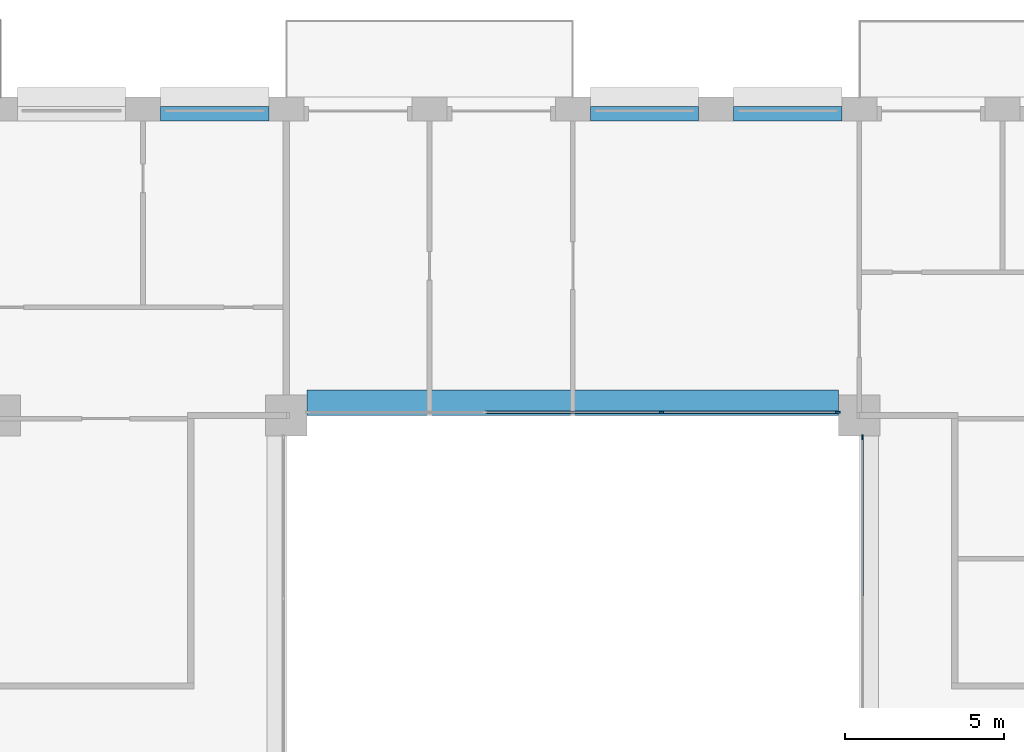
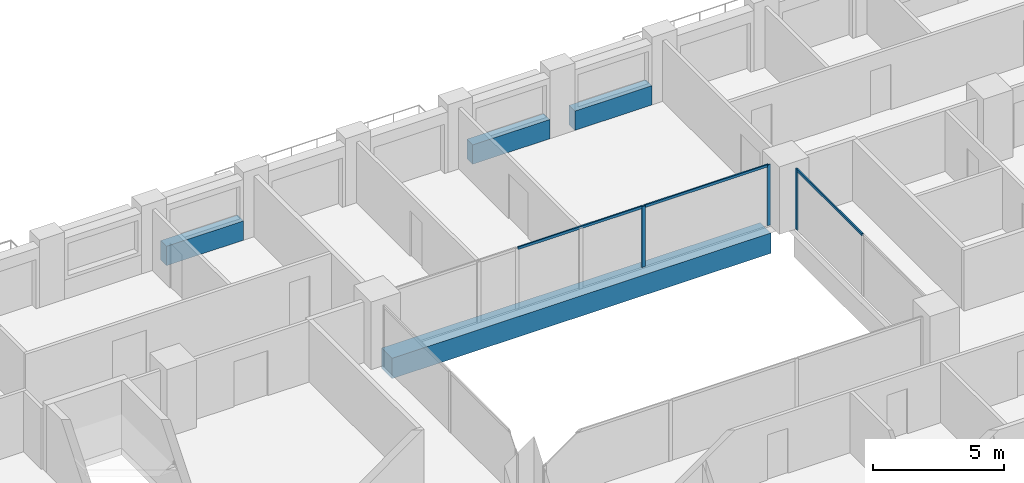
# One storey, part 6 of 16: 6 members, 4 beams, 2 elements without a shape of their own.
"""IFC4 building model written with IfcOpenShell, lengths in metres."""

from ifc_helpers import new_model, si_unit, direction, frame, origin, origin_2d, place, context, subcontext, project, spatial, rectangle, extrude, material, layer, layer_set, material_profile, profile_set, type_object, element, aggregate, save


model = new_model("IFC4")

# Units and contexts
model_context = context("Model", 3, precision=1e-05, world=origin(), true_north=direction((0.0, 1.0)))
body_context = subcontext(model_context, "Body", "Model", "MODEL_VIEW")
ifc_project = project(units=[si_unit("LENGTHUNIT", "METRE"), si_unit("AREAUNIT", "SQUARE_METRE"), si_unit("VOLUMEUNIT", "CUBIC_METRE"), si_unit("PLANEANGLEUNIT", "RADIAN"), si_unit("MASSUNIT", "GRAM", prefix="KILO")], contexts=[model_context])

# Site, building, storey
site_placement = place(None, origin())
site = spatial("IfcSite", under=ifc_project, at=site_placement, CompositionType="ELEMENT")
building_placement = place(site_placement, origin())
building = spatial("IfcBuilding", under=site, at=building_placement, Name="Brigalow Station Residences", CompositionType="ELEMENT")
storey_placement = place(building_placement, frame((0.0, 0.0, 121.35009765625)))
storey = spatial("IfcBuildingStorey", under=building, at=storey_placement, Name="L35", CompositionType="ELEMENT", Elevation=121.35009765625)

# Beam
ifc_material_1 = material(Name="Concrete C65", Category="concrete")
ifc_material_profile_1 = material_profile(ifc_material_1, rectangle(XDim=0.800048828125, YDim=0.949951171875, at=origin_2d()), Name="RC800x950")
ifc_profile_set_1 = profile_set([ifc_material_profile_1], Name="Concrete C65")
beam_type_1 = type_object("IfcBeamType", Name="ATRIUM EDGE GIRDER OVER 13.5 M SPAN 800x950 C65", PredefinedType="BEAM", material=ifc_profile_set_1)
beam_placement = place(storey_placement, frame((27.64990234375, 35.89990234375, -0.795166015625), z_axis=(1.0, 0.0, 0.0), x_axis=(0.0, 1.0, 0.0)))
element("IfcBeam", 1, at=beam_placement, inside=storey, type_object=beam_type_1, Name="ATRIUM EDGE GIRDER D L35", PredefinedType="BEAM", context=body_context, shape_type="SweptSolid", body=[
    extrude(rectangle(XDim=0.800048828125, YDim=0.949951171875, at=origin_2d()), origin(), (0.0, 0.0, 1.0), 16.7001953125),
])

# Curtain wall, member
ifc_material_2 = material(Name="Aluminium", Category="aluminium")
ifc_layer = layer(ifc_material_2, 0.14990234375)
ifc_layer_set = layer_set([ifc_layer], Name="ATRIUM FIRE-RATED GLAZING CURTAIN WALL")
curtain_wall_type = type_object("IfcCurtainWallType", Name="ATRIUM FIRE-RATED GLAZING CURTAIN WALL", PredefinedType="NOTDEFINED", material=ifc_layer_set)
curtain_wall_1_placement = place(storey_placement, origin())
curtain_wall_1 = element("IfcCurtainWall", 2, at=curtain_wall_1_placement, inside=storey, type_object=curtain_wall_type, Name="L35/cw/atrium-E", PredefinedType="NOTDEFINED")
ifc_material_3 = material(Name="Aluminium", Category="aluminium")
ifc_material_profile_2 = material_profile(ifc_material_3, rectangle(XDim=0.06005859375, YDim=0.14990234375, at=origin_2d()), Name="ATRIUM FIRE-RATED GLAZING MULLION 60x150")
ifc_profile_set_2 = profile_set([ifc_material_profile_2], Name="Aluminium")
member_type_1 = type_object("IfcMemberType", Name="ATRIUM FIRE-RATED GLAZING MULLION 60x150", PredefinedType="MULLION", material=ifc_profile_set_2)
member_1_placement = place(storey_placement, frame((45.10009765625, 34.820068359375, 0.0), z_axis=(0.0, 0.0, 1.0), x_axis=(-1.0, 0.0, 0.0)))
member_1 = element("IfcMember", 3, at=member_1_placement, type_object=member_type_1, Name="L35/cw/atrium-E/M02", PredefinedType="MULLION", context=body_context, shape_type="SweptSolid", body=[
    extrude(rectangle(XDim=0.06005859375, YDim=0.14990234375, at=origin_2d()), origin(), (0.0, 0.0, 1.0), 2.829833984375),
])

# Curtain wall, members
curtain_wall_2_placement = place(storey_placement, origin())
curtain_wall_2 = element("IfcCurtainWall", 4, at=curtain_wall_2_placement, inside=storey, type_object=curtain_wall_type, Name="L35/cw/atrium-N", PredefinedType="NOTDEFINED")
member_2_placement = place(storey_placement, frame((44.320068359375, 35.60009765625, 0.0), z_axis=(0.0, 0.0, 1.0), x_axis=(0.0, -1.0, 0.0)))
member_2 = element("IfcMember", 5, at=member_2_placement, type_object=member_type_1, Name="L35/cw/atrium-N/M00", PredefinedType="MULLION", context=body_context, shape_type="SweptSolid", body=[
    extrude(rectangle(XDim=0.06005859375, YDim=0.14990234375, at=origin_2d()), origin(), (0.0, 0.0, 1.0), 2.829833984375),
])
member_3_placement = place(storey_placement, frame((38.783203125, 35.60009765625, 0.0), z_axis=(0.0, 0.0, 1.0), x_axis=(0.0, -1.0, 0.0)))
member_3 = element("IfcMember", 6, at=member_3_placement, type_object=member_type_1, Name="L35/cw/atrium-N/M01", PredefinedType="MULLION", context=body_context, shape_type="SweptSolid", body=[
    extrude(rectangle(XDim=0.06005859375, YDim=0.14990234375, at=origin_2d()), origin(), (0.0, 0.0, 1.0), 2.829833984375),
])

# Member
ifc_material_4 = material(Name="Aluminium", Category="aluminium")
ifc_material_profile_3 = material_profile(ifc_material_4, rectangle(XDim=0.06005859375, YDim=0.1201171875, at=origin_2d()), Name="ATRIUM FIRE-RATED GLAZING TRANSOM 60x120")
ifc_profile_set_3 = profile_set([ifc_material_profile_3], Name="Aluminium")
member_type_2 = type_object("IfcMemberType", Name="ATRIUM FIRE-RATED GLAZING TRANSOM 60x120", PredefinedType="USERDEFINED", material=ifc_profile_set_3)
member_4_placement = place(storey_placement, frame((45.10009765625, 29.780029296875, 2.7998046875), z_axis=(0.0, 1.0, 0.0), x_axis=(-1.0, 0.0, 0.0)))
member_4 = element("IfcMember", 7, at=member_4_placement, type_object=member_type_2, Name="L35/cw/atrium-E/T01-00", ObjectType="TRANSOM", PredefinedType="USERDEFINED", context=body_context, shape_type="SweptSolid", body=[
    extrude(rectangle(XDim=0.06005859375, YDim=0.1201171875, at=origin_2d()), origin(), (0.0, 0.0, 1.0), 5.010009765625),
])

aggregate(curtain_wall_1, [member_1, member_4])

member_5_placement = place(storey_placement, frame((44.2900390625, 35.60009765625, 2.7998046875), z_axis=(-1.0, 0.0, 0.0), x_axis=(0.0, -1.0, 0.0)))
member_5 = element("IfcMember", 8, at=member_5_placement, type_object=member_type_2, Name="L35/cw/atrium-N/T00-00", ObjectType="TRANSOM", PredefinedType="USERDEFINED", context=body_context, shape_type="SweptSolid", body=[
    extrude(rectangle(XDim=0.06005859375, YDim=0.1201171875, at=origin_2d()), origin(), (0.0, 0.0, 1.0), 5.476806640625),
])

member_6_placement = place(storey_placement, frame((38.75341796875, 35.60009765625, 2.7998046875), z_axis=(-1.0, 0.0, 0.0), x_axis=(0.0, -1.0, 0.0)))
member_6 = element("IfcMember", 9, at=member_6_placement, type_object=member_type_2, Name="L35/cw/atrium-N/T01-00", ObjectType="TRANSOM", PredefinedType="USERDEFINED", context=body_context, shape_type="SweptSolid", body=[
    extrude(rectangle(XDim=0.06005859375, YDim=0.1201171875, at=origin_2d()), origin(), (0.0, 0.0, 1.0), 5.5068359375),
])

aggregate(curtain_wall_2, [member_2, member_3, member_5, member_6])

# Beams
ifc_material_5 = material(Name="Concrete C65", Category="concrete")
ifc_material_profile_4 = material_profile(ifc_material_5, rectangle(XDim=0.449951171875, YDim=0.89990234375, at=origin_2d()), Name="RC450x900")
ifc_profile_set_4 = profile_set([ifc_material_profile_4], Name="Concrete C65")
beam_type_2 = type_object("IfcBeamType", Name="SPANDREL BEAM 450x900 C65", PredefinedType="SPANDREL", material=ifc_profile_set_4)
for number, where, z_axis, x_axis, name in (
    (10, (44.449951171875, 44.97509765625, 0.449951171875), (-1.0, 0.0, 0.0), (0.0, -1.0, 0.0), "L35/spandrel/W-L35-29"),
    (11, (39.949951171875, 44.97509765625, 0.449951171875), (-1.0, 0.0, 0.0), (0.0, -1.0, 0.0), "L35/spandrel/W-L35-30"),
    (12, (26.449951171875, 44.97509765625, 0.449951171875), (-1.0, 0.0, 0.0), (0.0, -1.0, 0.0), "L35/spandrel/W-L35-33"),
):
    element("IfcBeam", number, at=place(storey_placement, frame(where, z_axis=z_axis, x_axis=x_axis)), inside=storey, type_object=beam_type_2, Name=name, PredefinedType="SPANDREL", context=body_context, shape_type="SweptSolid", body=[
        extrude(rectangle(XDim=0.449951171875, YDim=0.89990234375, at=origin_2d()), origin(), (0.0, 0.0, 1.0), 3.39990234375),
    ])

save(model, "model.ifc")
